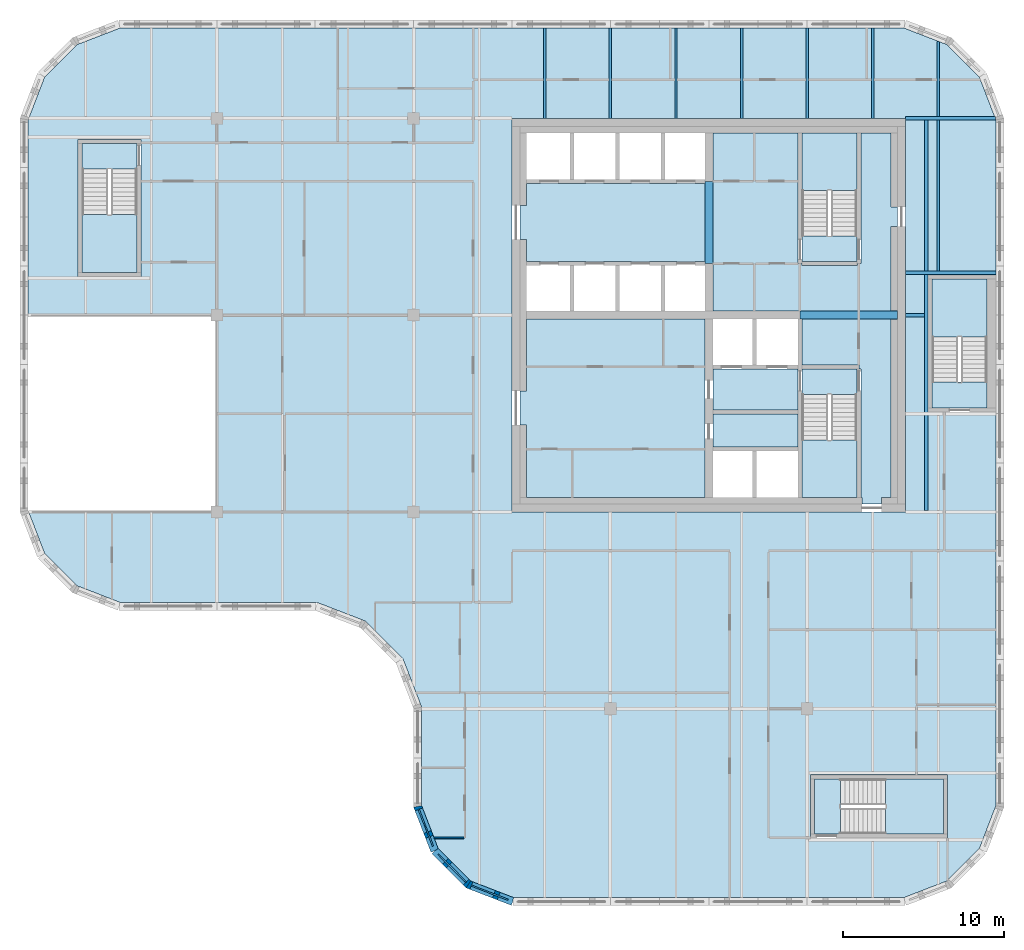
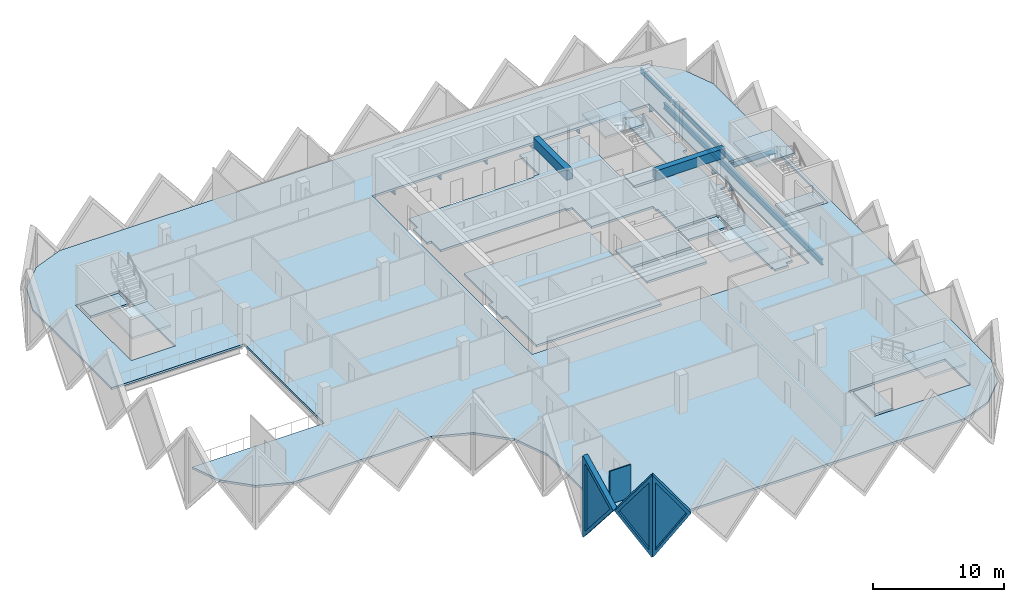
# One storey, part 2 of 12: 15 slabs, 14 beams, 4 walls, 3 plates, 3 openings, 5 elements without a shape of their own.
"""IFC4 building model written with IfcOpenShell, lengths in metres."""

from ifc_helpers import new_model, si_unit, direction, frame, frame_2d, origin, origin_2d, place, context, subcontext, project, spatial, polyline, rectangle, i_section, outline, extrude, faceted_brep, source, transform, mapped, material, layer, layer_set, material_profile, profile_set, type_object, element, fill, aggregate, save


model = new_model("IFC4")

# Units and contexts
model_context = context("Model", 3, precision=1e-05, world=origin(), true_north=direction((0.0, 1.0)))
body_context = subcontext(model_context, "Body", "Model", "MODEL_VIEW")
ifc_project = project(units=[si_unit("LENGTHUNIT", "METRE"), si_unit("AREAUNIT", "SQUARE_METRE"), si_unit("VOLUMEUNIT", "CUBIC_METRE"), si_unit("PLANEANGLEUNIT", "RADIAN"), si_unit("MASSUNIT", "GRAM", prefix="KILO")], contexts=[model_context])

# Site, building, storey
site_placement = place(None, origin())
site = spatial("IfcSite", under=ifc_project, at=site_placement, CompositionType="ELEMENT")
building_placement = place(site_placement, origin())
building = spatial("IfcBuilding", under=site, at=building_placement, Name="Tessera Gate Towers", CompositionType="ELEMENT")
storey_placement = place(building_placement, frame((0.0, 0.0, 209.300048828125)))
storey = spatial("IfcBuildingStorey", under=building, at=storey_placement, Name="L52", CompositionType="ELEMENT", Elevation=209.300048828125)

# Beams
ifc_material_1 = material(Name="Concrete C50/60", Category="concrete")
ifc_material_profile_1 = material_profile(ifc_material_1, rectangle(XDim=0.5, YDim=0.89990234375, at=origin_2d()), Name="RC 500x900")
ifc_profile_set_1 = profile_set([ifc_material_profile_1], Name="Concrete C50/60")
beam_type_1 = type_object("IfcBeamType", Name="COUPLING BEAM 500x900 C50/60", PredefinedType="BEAM", material=ifc_profile_set_1)
beam_1_placement = place(storey_placement, frame((48.35009765625, 36.60009765625, 3.14990234375), z_axis=(1.0, 0.0, 0.0), x_axis=(0.0, 1.0, 0.0)))
element("IfcBeam", 1, at=beam_1_placement, inside=storey, type_object=beam_type_1, Name="L52 coupling beam 1", PredefinedType="BEAM", context=body_context, shape_type="SweptSolid", body=[
    extrude(rectangle(XDim=0.5, YDim=0.89990234375, at=origin_2d()), origin(), (0.0, 0.0, 1.0), 6.0498046875),
])
beam_2_placement = place(storey_placement, frame((42.699951171875, 39.800048828125, 3.14990234375), z_axis=(0.0, 1.0, 0.0), x_axis=(-1.0, 0.0, 0.0)))
element("IfcBeam", 2, at=beam_2_placement, inside=storey, type_object=beam_type_1, Name="L52 coupling beam 2", PredefinedType="BEAM", context=body_context, shape_type="SweptSolid", body=[
    extrude(rectangle(XDim=0.5, YDim=0.89990234375, at=origin_2d()), origin(), (0.0, 0.0, 1.0), 5.099853515625),
])
ifc_material_2 = material(Name="Steel 350W", Category="steel")
ifc_material_profile_2 = material_profile(ifc_material_2, i_section(OverallWidth=0.208984375, OverallDepth=0.532958984375, WebThickness=0.01025390625, FlangeThickness=0.015625, at=origin_2d()), Name="W530x92")
ifc_profile_set_2 = profile_set([ifc_material_profile_2], Name="Steel 350W")
beam_type_2 = type_object("IfcBeamType", Name="FLOOR GIRDER W530x92", PredefinedType="BEAM", material=ifc_profile_set_2)
beam_3_placement = place(storey_placement, frame((54.89892578125, 36.60009765625, -0.466552734375), z_axis=(1.0, 0.0, 0.0), x_axis=(0.0, 1.0, 0.0)))
element("IfcBeam", 3, at=beam_3_placement, inside=storey, type_object=beam_type_2, Name="T1-GD-L52-5414", PredefinedType="BEAM", context=body_context, shape_type="SweptSolid", body=[
    extrude(i_section(OverallWidth=0.208984375, OverallDepth=0.532958984375, WebThickness=0.01025390625, FlangeThickness=0.015625, at=origin_2d()), origin(), (0.0, 0.0, 1.0), 1.176513671875),
])
beam_4_placement = place(storey_placement, frame((54.90087890625, 48.800048828125, -0.466552734375), z_axis=(1.0, 0.0, 0.0), x_axis=(0.0, 1.0, 0.0)))
element("IfcBeam", 4, at=beam_4_placement, inside=storey, type_object=beam_type_2, Name="T1-GD-L52-5418", PredefinedType="BEAM", context=body_context, shape_type="SweptSolid", body=[
    extrude(i_section(OverallWidth=0.208984375, OverallDepth=0.532958984375, WebThickness=0.01025390625, FlangeThickness=0.015625, at=origin_2d()), origin(), (0.0, 0.0, 1.0), 5.564208984375),
])
beam_5_placement = place(storey_placement, frame((54.89892578125, 39.219970703125, -0.466552734375), z_axis=(1.0, 0.0, 0.0), x_axis=(0.0, 1.0, 0.0)))
element("IfcBeam", 5, at=beam_5_placement, inside=storey, type_object=beam_type_2, Name="T1-GD-L52-5436", PredefinedType="BEAM", context=body_context, shape_type="SweptSolid", body=[
    extrude(i_section(OverallWidth=0.208984375, OverallDepth=0.532958984375, WebThickness=0.01025390625, FlangeThickness=0.015625, at=origin_2d()), origin(), (0.0, 0.0, 1.0), 5.60205078125),
])
beam_6_placement = place(storey_placement, frame((56.179931640625, 24.50439453125, -0.466552734375), z_axis=(0.0, 1.0, 0.0), x_axis=(-1.0, 0.0, 0.0)))
element("IfcBeam", 6, at=beam_6_placement, inside=storey, type_object=beam_type_2, Name="T1-GD-L52-5437", PredefinedType="BEAM", context=body_context, shape_type="SweptSolid", body=[
    extrude(i_section(OverallWidth=0.208984375, OverallDepth=0.532958984375, WebThickness=0.01025390625, FlangeThickness=0.015625, at=origin_2d()), origin(), (0.0, 0.0, 1.0), 24.191162109375),
])
ifc_material_3 = material(Name="Steel 350W", Category="steel")
ifc_material_profile_3 = material_profile(ifc_material_3, i_section(OverallWidth=0.153076171875, OverallDepth=0.455078125, WebThickness=0.008056640625, FlangeThickness=0.01318359375, at=origin_2d()), Name="W460x60")
ifc_profile_set_3 = profile_set([ifc_material_profile_3], Name="Steel 350W")
beam_type_3 = type_object("IfcBeamType", Name="FLOOR SECONDARY W460x60", PredefinedType="BEAM", material=ifc_profile_set_3)
for number, where, z_axis, x_axis, name in (
    (7, (32.533203125, 48.800048828125, -0.427490234375), (0.0, 1.0, 0.0), (-1.0, 0.0, 0.0), "T1-BM-L52-5459"),
    (8, (36.60009765625, 48.800048828125, -0.427490234375), (0.0, 1.0, 0.0), (-1.0, 0.0, 0.0), "T1-BM-L52-5460"),
    (9, (40.666748046875, 48.800048828125, -0.427490234375), (0.0, 1.0, 0.0), (-1.0, 0.0, 0.0), "T1-BM-L52-5463"),
    (10, (44.7333984375, 48.800048828125, -0.427490234375), (0.0, 1.0, 0.0), (-1.0, 0.0, 0.0), "T1-BM-L52-5466"),
    (11, (48.800048828125, 48.800048828125, -0.427490234375), (0.0, 1.0, 0.0), (-1.0, 0.0, 0.0), "T1-BM-L52-5467"),
    (12, (52.86669921875, 48.800048828125, -0.427490234375), (0.0, 1.0, 0.0), (-1.0, 0.0, 0.0), "T1-BM-L52-5471"),
):
    element("IfcBeam", number, at=place(storey_placement, frame(where, z_axis=z_axis, x_axis=x_axis)), inside=storey, type_object=beam_type_3, Name=name, PredefinedType="BEAM", context=body_context, shape_type="SweptSolid", body=[
        extrude(i_section(OverallWidth=0.153076171875, OverallDepth=0.455078125, WebThickness=0.008056640625, FlangeThickness=0.01318359375, at=origin_2d()), origin(), (0.0, 0.0, 1.0), 5.599853515625),
    ])
beam_7_placement = place(storey_placement, frame((56.933349609375, 39.324462890625, -0.427490234375), z_axis=(0.0, 1.0, 0.0), x_axis=(-1.0, 0.0, 0.0)))
element("IfcBeam", 13, at=beam_7_placement, inside=storey, type_object=beam_type_3, Name="T1-BM-L52-5476", PredefinedType="BEAM", context=body_context, shape_type="SweptSolid", body=[
    extrude(i_section(OverallWidth=0.153076171875, OverallDepth=0.455078125, WebThickness=0.008056640625, FlangeThickness=0.01318359375, at=origin_2d()), origin(), (0.0, 0.0, 1.0), 9.37109375),
])
beam_8_placement = place(storey_placement, frame((56.933349609375, 48.904541015625, -0.427490234375), z_axis=(0.0, 1.0, 0.0), x_axis=(-1.0, 0.0, 0.0)))
element("IfcBeam", 14, at=beam_8_placement, inside=storey, type_object=beam_type_3, Name="T1-BM-L52-5477", PredefinedType="BEAM", context=body_context, shape_type="SweptSolid", body=[
    extrude(i_section(OverallWidth=0.153076171875, OverallDepth=0.455078125, WebThickness=0.008056640625, FlangeThickness=0.01318359375, at=origin_2d()), origin(), (0.0, 0.0, 1.0), 4.675048828125),
])

# Slabs
ifc_material_4 = material(Name="Concrete C35/45", Category="concrete")
ifc_layer_1 = layer(ifc_material_4, 0.199951171875)
ifc_layer_set_1 = layer_set([ifc_layer_1], Name="COMPOSITE FLOOR 200")
slab_type_1 = type_object("IfcSlabType", Name="COMPOSITE FLOOR 200", PredefinedType="FLOOR", material=ifc_layer_set_1)
slab_1_placement = place(storey_placement, frame((0.0, 0.0, -0.199951171875)))
element("IfcSlab", 15, at=slab_1_placement, inside=storey, type_object=slab_type_1, Name="T1-L52", PredefinedType="FLOOR", context=body_context, shape_type="SweptSolid", body=[
    extrude(outline(polyline([(0.5, 36.60009765625), (12.199951171875, 36.60009765625), (12.199951171875, 24.39990234375), (0.535888671875, 24.39990234375), (1.526123046875, 21.8330078125), (3.533203125, 19.826171875), (6.193115234375, 18.800048828125), (18.39306640625, 18.800048828125), (21.42431640625, 17.630615234375), (23.730712890625, 15.32421875), (24.89990234375, 12.293212890625), (24.89990234375, 6.193115234375), (25.926025390625, 3.533203125), (27.93310546875, 1.526123046875), (30.593017578125, 0.5), (54.806884765625, 0.5), (57.466796875, 1.526123046875), (59.473876953125, 3.533203125), (60.5, 6.193115234375), (60.5, 48.706787109375), (59.473876953125, 51.366943359375), (57.466796875, 53.373779296875), (54.806884765625, 54.39990234375), (6.193115234375, 54.39990234375), (3.533203125, 53.373779296875), (1.526123046875, 51.366943359375), (0.5, 48.706787109375), (0.5, 36.60009765625)]), holes=[polyline([(3.60009765625, 39.0), (3.60009765625, 47.5), (7.5, 47.5), (7.5, 39.0), (3.60009765625, 39.0)]), polyline([(30.5, 24.39990234375), (30.5, 48.800048828125), (54.89990234375, 48.800048828125), (54.89990234375, 24.39990234375), (30.5, 24.39990234375)]), polyline([(49.0, 4.199951171875), (49.0, 8.10009765625), (57.5, 8.10009765625), (57.5, 4.199951171875), (49.0, 4.199951171875)]), polyline([(56.300048828125, 30.60009765625), (56.300048828125, 39.10009765625), (60.199951171875, 39.10009765625), (60.199951171875, 30.60009765625), (56.300048828125, 30.60009765625)])]), origin(), (0.0, 0.0, 1.0), 0.199951171875),
])
ifc_material_5 = material(Name="Concrete C35/45", Category="concrete")
ifc_layer_2 = layer(ifc_material_5, 0.199951171875)
ifc_layer_set_2 = layer_set([ifc_layer_2], Name="CORE FLOOR SLAB 200")
slab_type_2 = type_object("IfcSlabType", Name="CORE FLOOR SLAB 200", PredefinedType="FLOOR", material=ifc_layer_set_2)
slab_2_placement = place(storey_placement, frame((0.0, 0.0, -0.199951171875)))
element("IfcSlab", 16, at=slab_2_placement, inside=storey, type_object=slab_type_2, Name="L52 core floor slab", PredefinedType="FLOOR", context=body_context, shape_type="SweptSolid", body=[
    extrude(outline(polyline([(42.449951171875, 44.89990234375), (42.449951171875, 44.77490234375), (31.39990234375, 44.77490234375), (31.39990234375, 43.39990234375), (31.0, 43.39990234375), (31.0, 41.300048828125), (31.39990234375, 41.300048828125), (31.39990234375, 39.925048828125), (42.449951171875, 39.925048828125), (42.449951171875, 39.800048828125), (42.949951171875, 39.800048828125), (42.949951171875, 36.85009765625), (48.35009765625, 36.85009765625), (48.35009765625, 36.35009765625), (48.47509765625, 36.35009765625), (48.47509765625, 33.52490234375), (52.0, 33.52490234375), (52.0, 33.27490234375), (52.125, 33.27490234375), (52.125, 25.300048828125), (52.199951171875, 25.300048828125), (52.199951171875, 24.89990234375), (53.39990234375, 24.89990234375), (53.39990234375, 25.300048828125), (54.0, 25.300048828125), (54.0, 36.320068359375), (54.39990234375, 36.320068359375), (54.39990234375, 36.8798828125), (54.0, 36.8798828125), (54.0, 42.10009765625), (54.39990234375, 42.10009765625), (54.39990234375, 43.300048828125), (54.0, 43.300048828125), (54.0, 47.89990234375), (52.125, 47.89990234375), (52.125, 39.800048828125), (51.875, 39.800048828125), (51.875, 39.675048828125), (48.47509765625, 39.675048828125), (48.47509765625, 39.800048828125), (48.22509765625, 39.800048828125), (48.22509765625, 47.89990234375), (42.949951171875, 47.89990234375), (42.949951171875, 44.89990234375), (42.449951171875, 44.89990234375)])), origin(), (0.0, 0.0, 1.0), 0.199951171875),
])
slab_3_placement = place(storey_placement, frame((0.0, 0.0, -0.199951171875)))
element("IfcSlab", 17, at=slab_3_placement, inside=storey, type_object=slab_type_2, Name="L52 core floor slab", PredefinedType="FLOOR", context=body_context, shape_type="SweptSolid", body=[
    extrude(outline(polyline([(31.39990234375, 36.35009765625), (31.39990234375, 31.89990234375), (31.0, 31.89990234375), (31.0, 29.800048828125), (31.39990234375, 29.800048828125), (31.39990234375, 25.300048828125), (42.449951171875, 25.300048828125), (42.449951171875, 36.35009765625), (31.39990234375, 36.35009765625)])), origin(), (0.0, 0.0, 1.0), 0.199951171875),
])
slab_4_placement = place(storey_placement, frame((0.0, 0.0, -0.199951171875)))
element("IfcSlab", 18, at=slab_4_placement, inside=storey, type_object=slab_type_2, Name="L52 core floor slab", PredefinedType="FLOOR", context=body_context, shape_type="SweptSolid", body=[
    extrude(outline(polyline([(42.949951171875, 33.27490234375), (42.949951171875, 30.72509765625), (48.22509765625, 30.72509765625), (48.22509765625, 33.27490234375), (42.949951171875, 33.27490234375)])), origin(), (0.0, 0.0, 1.0), 0.199951171875),
])
slab_5_placement = place(storey_placement, frame((0.0, 0.0, -0.199951171875)))
element("IfcSlab", 19, at=slab_5_placement, inside=storey, type_object=slab_type_2, Name="L52 core floor slab", PredefinedType="FLOOR", context=body_context, shape_type="SweptSolid", body=[
    extrude(outline(polyline([(48.22509765625, 30.47509765625), (42.949951171875, 30.47509765625), (42.949951171875, 28.425048828125), (48.22509765625, 28.425048828125), (48.22509765625, 30.47509765625)])), origin(), (0.0, 0.0, 1.0), 0.199951171875),
])
slab_6_placement = place(storey_placement, frame((0.0, 0.0, -0.199951171875)))
element("IfcSlab", 20, at=slab_6_placement, inside=storey, type_object=slab_type_2, Name="L52 core floor slab", PredefinedType="FLOOR", context=body_context, shape_type="SweptSolid", body=[
    extrude(outline(polyline([(51.875, 31.675048828125), (51.875, 33.27490234375), (48.47509765625, 33.27490234375), (48.47509765625, 31.675048828125), (51.875, 31.675048828125)])), origin(), (0.0, 0.0, 1.0), 0.199951171875),
])
slab_7_placement = place(storey_placement, frame((0.0, 0.0, -0.199951171875)))
element("IfcSlab", 21, at=slab_7_placement, inside=storey, type_object=slab_type_2, Name="L52 core floor slab", PredefinedType="FLOOR", context=body_context, shape_type="SweptSolid", body=[
    extrude(outline(polyline([(48.47509765625, 41.52490234375), (48.47509765625, 39.925048828125), (51.875, 39.925048828125), (51.875, 41.52490234375), (48.47509765625, 41.52490234375)])), origin(), (0.0, 0.0, 1.0), 0.199951171875),
])
slab_8_placement = place(storey_placement, frame((0.0, 0.0, -0.199951171875)))
element("IfcSlab", 22, at=slab_8_placement, inside=storey, type_object=slab_type_2, Name="L52 ST3 floor landing", PredefinedType="FLOOR", context=body_context, shape_type="SweptSolid", body=[
    extrude(outline(polyline([(3.85009765625, 47.25), (3.85009765625, 45.64990234375), (7.25, 45.64990234375), (7.25, 47.25), (3.85009765625, 47.25)])), origin(), (0.0, 0.0, 1.0), 0.199951171875),
])
slab_9_placement = place(storey_placement, frame((0.0, 0.0, -0.199951171875)))
element("IfcSlab", 23, at=slab_9_placement, inside=storey, type_object=slab_type_2, Name="L52 ST4 floor landing", PredefinedType="FLOOR", context=body_context, shape_type="SweptSolid", body=[
    extrude(outline(polyline([(49.25, 4.449951171875), (50.85009765625, 4.449951171875), (50.85009765625, 7.85009765625), (49.25, 7.85009765625), (49.25, 4.449951171875)])), origin(), (0.0, 0.0, 1.0), 0.199951171875),
])
slab_10_placement = place(storey_placement, frame((0.0, 0.0, -0.199951171875)))
element("IfcSlab", 24, at=slab_10_placement, inside=storey, type_object=slab_type_2, Name="L52 ST5 floor landing", PredefinedType="FLOOR", context=body_context, shape_type="SweptSolid", body=[
    extrude(outline(polyline([(59.949951171875, 30.85009765625), (59.949951171875, 32.449951171875), (56.550048828125, 32.449951171875), (56.550048828125, 30.85009765625), (59.949951171875, 30.85009765625)])), origin(), (0.0, 0.0, 1.0), 0.199951171875),
])

# Stair, slab
ifc_material_6 = material(Name="Concrete C40/50", Category="concrete")
stair_type_1 = type_object("IfcStairType", Name="EXIT STAIR ST1 1600", PredefinedType="HALF_TURN_STAIR", material=ifc_material_6)
stair_1_placement = place(storey_placement, origin())
stair_1 = element("IfcStair", 25, at=stair_1_placement, inside=storey, type_object=stair_type_1, Name="L52 Protected Exit Stair ST1", PredefinedType="HALF_TURN_STAIR")
ifc_material_7 = material(Name="Concrete C40/50", Category="concrete")
ifc_layer_3 = layer(ifc_material_7, 0.199951171875)
ifc_layer_set_3 = layer_set([ifc_layer_3], Name="EXIT STAIR LANDING 200")
slab_type_3 = type_object("IfcSlabType", Name="EXIT STAIR LANDING 200", PredefinedType="LANDING", material=ifc_layer_set_3)
slab_11_placement = place(storey_placement, frame((0.0, 0.0, 1.699951171875)))
slab_11 = element("IfcSlab", 26, at=slab_11_placement, type_object=slab_type_3, Name="ST1 landing 1", PredefinedType="LANDING", context=body_context, shape_type="SweptSolid", body=[
    extrude(outline(polyline([(48.47509765625, 28.875), (48.47509765625, 25.300048828125), (51.875, 25.300048828125), (51.875, 28.875), (48.47509765625, 28.875)])), origin(), (0.0, 0.0, 1.0), 0.199951171875),
])
aggregate(stair_1, [slab_11])

ifc_material_8 = material(Name="Concrete C40/50", Category="concrete")
stair_type_2 = type_object("IfcStairType", Name="EXIT STAIR ST2 1600", PredefinedType="HALF_TURN_STAIR", material=ifc_material_8)
stair_2_placement = place(storey_placement, origin())
stair_2 = element("IfcStair", 27, at=stair_2_placement, inside=storey, type_object=stair_type_2, Name="L52 Protected Exit Stair ST2", PredefinedType="HALF_TURN_STAIR")
slab_12_placement = place(storey_placement, frame((0.0, 0.0, 1.699951171875)))
slab_12 = element("IfcSlab", 28, at=slab_12_placement, type_object=slab_type_3, Name="ST2 landing 1", PredefinedType="LANDING", context=body_context, shape_type="SweptSolid", body=[
    extrude(outline(polyline([(51.875, 44.324951171875), (51.875, 47.89990234375), (48.47509765625, 47.89990234375), (48.47509765625, 44.324951171875), (51.875, 44.324951171875)])), origin(), (0.0, 0.0, 1.0), 0.199951171875),
])
aggregate(stair_2, [slab_12])

ifc_material_9 = material(Name="Concrete C40/50", Category="concrete")
stair_type_3 = type_object("IfcStairType", Name="EXIT STAIR ST3 1600", PredefinedType="HALF_TURN_STAIR", material=ifc_material_9)
stair_3_placement = place(storey_placement, origin())
stair_3 = element("IfcStair", 29, at=stair_3_placement, inside=storey, type_object=stair_type_3, Name="L52 West Exit Stair ST3", PredefinedType="HALF_TURN_STAIR")
slab_13_placement = place(storey_placement, frame((0.0, 0.0, 1.699951171875)))
slab_13 = element("IfcSlab", 30, at=slab_13_placement, type_object=slab_type_3, Name="ST3 landing 1", PredefinedType="LANDING", context=body_context, shape_type="SweptSolid", body=[
    extrude(outline(polyline([(3.85009765625, 42.85009765625), (3.85009765625, 39.25), (7.25, 39.25), (7.25, 42.85009765625), (3.85009765625, 42.85009765625)])), origin(), (0.0, 0.0, 1.0), 0.199951171875),
])
aggregate(stair_3, [slab_13])

ifc_material_10 = material(Name="Concrete C40/50", Category="concrete")
stair_type_4 = type_object("IfcStairType", Name="EXIT STAIR ST4 1600", PredefinedType="HALF_TURN_STAIR", material=ifc_material_10)
stair_4_placement = place(storey_placement, origin())
stair_4 = element("IfcStair", 31, at=stair_4_placement, inside=storey, type_object=stair_type_4, Name="L52 South Exit Stair ST4", PredefinedType="HALF_TURN_STAIR")
slab_14_placement = place(storey_placement, frame((0.0, 0.0, 1.699951171875)))
slab_14 = element("IfcSlab", 32, at=slab_14_placement, type_object=slab_type_3, Name="ST4 landing 1", PredefinedType="LANDING", context=body_context, shape_type="SweptSolid", body=[
    extrude(outline(polyline([(53.64990234375, 4.449951171875), (57.25, 4.449951171875), (57.25, 7.85009765625), (53.64990234375, 7.85009765625), (53.64990234375, 4.449951171875)])), origin(), (0.0, 0.0, 1.0), 0.199951171875),
])
aggregate(stair_4, [slab_14])

ifc_material_11 = material(Name="Concrete C40/50", Category="concrete")
stair_type_5 = type_object("IfcStairType", Name="EXIT STAIR ST5 1600", PredefinedType="HALF_TURN_STAIR", material=ifc_material_11)
stair_5_placement = place(storey_placement, origin())
stair_5 = element("IfcStair", 33, at=stair_5_placement, inside=storey, type_object=stair_type_5, Name="L52 East Exit Stair ST5", PredefinedType="HALF_TURN_STAIR")
slab_15_placement = place(storey_placement, frame((0.0, 0.0, 1.699951171875)))
slab_15 = element("IfcSlab", 34, at=slab_15_placement, type_object=slab_type_3, Name="ST5 landing 1", PredefinedType="LANDING", context=body_context, shape_type="SweptSolid", body=[
    extrude(outline(polyline([(59.949951171875, 35.25), (59.949951171875, 38.85009765625), (56.550048828125, 38.85009765625), (56.550048828125, 35.25), (59.949951171875, 35.25)])), origin(), (0.0, 0.0, 1.0), 0.199951171875),
])
aggregate(stair_5, [slab_15])

# Wall
ifc_material_12 = material(Name="Glass", Category="glass")
ifc_layer_4 = layer(ifc_material_12, 0.10009765625)
ifc_layer_set_4 = layer_set([ifc_layer_4], Name="GLAZED PARTITION 100")
wall_type_1 = type_object("IfcWallType", Name="GLAZED PARTITION 100", PredefinedType="PARTITIONING", material=ifc_layer_set_4)
wall_1_placement = place(storey_placement, frame((25.668701171875, 4.199951171875, 0.0), z_axis=(0.0, 0.0, 1.0), x_axis=(1.0, 0.0, 0.0)))
element("IfcWall", 35, at=wall_1_placement, inside=storey, type_object=wall_type_1, Name="T1-L52-PW-003", PredefinedType="PARTITIONING", context=body_context, shape_type="SweptSolid", body=[
    extrude(rectangle(XDim=1.855224609375, YDim=0.10009765625, at=frame_2d((0.927734375, 0.0))), origin(), (0.0, 0.0, 1.0), 3.06689453125),
])

# Wall, opening, plate
ifc_material_13 = material(Name="Precast concrete C60/75 white", Category="concrete")
ifc_layer_5 = layer(ifc_material_13, 0.5)
ifc_layer_set_5 = layer_set([ifc_layer_5], Name="TS3 corner tessera")
wall_type_2 = type_object("IfcWallType", Name="TS3 corner tessera", PredefinedType="SOLIDWALL", material=ifc_layer_set_5)
shared_shape_1 = source(origin(), body_context, "Body", "Brep", [
    faceted_brep([(0.046630859375, -0.25, 0.0), (2.9970703125, -0.25, 3.800048828125), (0.046630859375, -0.25, 7.60009765625), (0.0, -0.25, 7.541259765625), (0.0, -0.25, 0.058837890625), (0.09326171875, 0.25, 7.5400390625), (2.9443359375, 0.25, 3.8681640625), (2.9443359375, 0.25, 3.73193359375), (0.09326171875, 0.25, 0.06005859375), (2.9970703125, 0.00048828125, 3.800048828125), (0.046630859375, 0.0, 0.0), (0.046630859375, 0.0, 7.60009765625)], [[[0, 1, 2, 3, 4]], [[5, 6, 7, 8]], [[8, 7, 9, 1, 0, 10]], [[6, 5, 11, 2, 1, 9]], [[3, 2, 11]], [[10, 0, 4]], [[8, 10, 4, 3, 11, 5]], [[9, 7, 6]]]),
])
wall_2_placement = place(storey_placement, frame((24.63330078125, 6.18994140625, -3.800048828125), z_axis=(0.0, 0.0, 1.0), x_axis=(0.359901446078, -0.932990326376, 0.0)))
wall_2 = element("IfcWall", 36, at=wall_2_placement, inside=storey, type_object=wall_type_2, Name="Precast corner tessera T1 TS3-1222", PredefinedType="SOLIDWALL", context=body_context, shape_type="MappedRepresentation", body=[
    mapped(shared_shape_1, transform((0.0, 0.0, 0.0), scale=1.0)),
])
shared_shape_2 = source(origin(), body_context, "Body", "SweptSolid", [
    extrude(outline(polyline([(0.24658203125, 0.665283203125), (2.6806640625, 3.800048828125), (0.24658203125, 6.934814453125), (0.24658203125, 0.665283203125)])), frame((0.0, 0.260009765625, 0.0), z_axis=(0.0, -1.0, 0.0), x_axis=(1.0, 0.0, 0.0)), (0.0, 0.0, 1.0), 0.52001953125),
])
opening_1_placement = place(wall_2_placement, origin())
opening_1 = element("IfcOpeningElement", 37, at=opening_1_placement, cuts=wall_2, Name="Opening T1-PL2-1877", PredefinedType="OPENING", context=body_context, shape_type="MappedRepresentation", body=[
    mapped(shared_shape_2, transform((0.0, 0.0, 0.0), scale=1.0)),
])
ifc_material_14 = material(Name="Low-e laminated glass", Category="glass")
ifc_layer_6 = layer(ifc_material_14, 0.06005859375)
ifc_layer_set_6 = layer_set([ifc_layer_6], Name="PL2 rhombic pane")
plate_type = type_object("IfcPlateType", Name="PL2 rhombic pane", PredefinedType="SHEET", material=ifc_layer_set_6)
shared_shape_3 = source(origin(), body_context, "Body", "SweptSolid", [
    extrude(outline(polyline([(0.24658203125, 0.665283203125), (2.6806640625, 3.800048828125), (0.24658203125, 6.934814453125), (0.24658203125, 0.665283203125)])), frame((0.0, 0.030029296875, 0.0), z_axis=(0.0, -1.0, 0.0), x_axis=(1.0, 0.0, 0.0)), (0.0, 0.0, 1.0), 0.06005859375),
])
plate_1_placement = place(opening_1_placement, origin())
plate_1 = element("IfcPlate", 38, at=plate_1_placement, inside=storey, type_object=plate_type, Name="Glass pane T1 PL2-1877", PredefinedType="SHEET", context=body_context, shape_type="MappedRepresentation", body=[
    mapped(shared_shape_3, transform((0.0, 0.0, 0.0), scale=1.0)),
])
fill(opening_1, plate_1)

shared_shape_4 = source(origin(), body_context, "Body", "Brep", [
    faceted_brep([(0.052978515625, -0.25, 0.0), (3.00341796875, -0.25, 3.800048828125), (0.052978515625, -0.25, 7.60009765625), (0.0, -0.25, 7.53173828125), (0.0, -0.25, 0.068359375), (0.10595703125, 0.25, 7.531982421875), (2.95703125, 0.25, 3.85986328125), (2.95703125, 0.25, 3.740234375), (0.10595703125, 0.25, 0.068115234375), (3.00341796875, 0.00048828125, 3.800048828125), (0.052978515625, 0.0, 0.0), (0.052978515625, 0.0, 7.60009765625)], [[[0, 1, 2, 3, 4]], [[5, 6, 7, 8]], [[8, 7, 9, 1, 0, 10]], [[6, 5, 11, 2, 1, 9]], [[3, 2, 11]], [[10, 0, 4]], [[8, 10, 4, 3, 11, 5]], [[9, 7, 6]]]),
])
wall_3_placement = place(storey_placement, frame((27.744384765625, 1.3310546875, -3.800048828125), z_axis=(0.0, 0.0, 1.0), x_axis=(0.932970071518, -0.359953949349, 0.0)))
wall_3 = element("IfcWall", 39, at=wall_3_placement, inside=storey, type_object=wall_type_2, Name="Precast corner tessera T1 TS3-1224", PredefinedType="SOLIDWALL", context=body_context, shape_type="MappedRepresentation", body=[
    mapped(shared_shape_4, transform((0.0, 0.0, 0.0), scale=1.0)),
])
shared_shape_5 = source(origin(), body_context, "Body", "SweptSolid", [
    extrude(outline(polyline([(0.2529296875, 0.665283203125), (2.68701171875, 3.800048828125), (0.2529296875, 6.934814453125), (0.2529296875, 0.665283203125)])), frame((0.0, 0.260009765625, 0.0), z_axis=(0.0, -1.0, 0.0), x_axis=(1.0, 0.0, 0.0)), (0.0, 0.0, 1.0), 0.52001953125),
])
opening_2_placement = place(wall_3_placement, origin())
opening_2 = element("IfcOpeningElement", 40, at=opening_2_placement, cuts=wall_3, Name="Opening T1-PL2-1879", PredefinedType="OPENING", context=body_context, shape_type="MappedRepresentation", body=[
    mapped(shared_shape_5, transform((0.0, 0.0, 0.0), scale=1.0)),
])
shared_shape_6 = source(origin(), body_context, "Body", "SweptSolid", [
    extrude(outline(polyline([(0.2529296875, 0.665283203125), (2.68701171875, 3.800048828125), (0.2529296875, 6.934814453125), (0.2529296875, 0.665283203125)])), frame((0.0, 0.030029296875, 0.0), z_axis=(0.0, -1.0, 0.0), x_axis=(1.0, 0.0, 0.0)), (0.0, 0.0, 1.0), 0.06005859375),
])
plate_2_placement = place(opening_2_placement, origin())
plate_2 = element("IfcPlate", 41, at=plate_2_placement, inside=storey, type_object=plate_type, Name="Glass pane T1 PL2-1879", PredefinedType="SHEET", context=body_context, shape_type="MappedRepresentation", body=[
    mapped(shared_shape_6, transform((0.0, 0.0, 0.0), scale=1.0)),
])
fill(opening_2, plate_2)

shared_shape_7 = source(origin(), body_context, "Body", "Brep", [
    faceted_brep([(2.944091796875, -0.25, 0.0), (2.9970703125, -0.25, 0.068115234375), (2.9970703125, -0.25, 7.531982421875), (2.944091796875, -0.25, 7.60009765625), (0.0, -0.25, 3.800048828125), (0.052978515625, 0.25, 3.868408203125), (2.89111328125, 0.25, 7.531982421875), (2.89111328125, 0.25, 0.068115234375), (0.052978515625, 0.25, 3.731689453125), (2.944091796875, 0.000244140625, 0.0), (2.944091796875, 0.000244140625, 7.60009765625), (0.0, 0.0, 3.800048828125)], [[[0, 1, 2, 3, 4]], [[5, 6, 7, 8]], [[1, 0, 9]], [[10, 3, 2]], [[6, 5, 11, 4, 3, 10]], [[8, 7, 9, 0, 4, 11]], [[8, 11, 5]], [[1, 9, 7, 6, 10, 2]]]),
])
wall_4_placement = place(storey_placement, frame((25.7119140625, 3.393798828125, -3.800048828125), z_axis=(0.0, 0.0, 1.0), x_axis=(0.707066050402, -0.707147509625, 0.0)))
wall_4 = element("IfcWall", 42, at=wall_4_placement, inside=storey, type_object=wall_type_2, Name="Precast corner tessera T1 TS3-1223", PredefinedType="SOLIDWALL", context=body_context, shape_type="MappedRepresentation", body=[
    mapped(shared_shape_7, transform((0.0, 0.0, 0.0), scale=1.0)),
])
shared_shape_8 = source(origin(), body_context, "Body", "SweptSolid", [
    extrude(outline(polyline([(2.744140625, 6.93359375), (0.316162109375, 3.800048828125), (2.744140625, 0.666259765625), (2.744140625, 6.93359375)])), frame((0.0, 0.260009765625, 0.0), z_axis=(0.0, -1.0, 0.0), x_axis=(1.0, 0.0, 0.0)), (0.0, 0.0, 1.0), 0.52001953125),
])
opening_3_placement = place(wall_4_placement, origin())
opening_3 = element("IfcOpeningElement", 43, at=opening_3_placement, cuts=wall_4, Name="Opening T1-PL2-1878", PredefinedType="OPENING", context=body_context, shape_type="MappedRepresentation", body=[
    mapped(shared_shape_8, transform((0.0, 0.0, 0.0), scale=1.0)),
])
shared_shape_9 = source(origin(), body_context, "Body", "SweptSolid", [
    extrude(outline(polyline([(2.744140625, 6.93359375), (0.316162109375, 3.800048828125), (2.744140625, 0.666259765625), (2.744140625, 6.93359375)])), frame((0.0, 0.030029296875, 0.0), z_axis=(0.0, -1.0, 0.0), x_axis=(1.0, 0.0, 0.0)), (0.0, 0.0, 1.0), 0.06005859375),
])
plate_3_placement = place(opening_3_placement, origin())
plate_3 = element("IfcPlate", 44, at=plate_3_placement, inside=storey, type_object=plate_type, Name="Glass pane T1 PL2-1878", PredefinedType="SHEET", context=body_context, shape_type="MappedRepresentation", body=[
    mapped(shared_shape_9, transform((0.0, 0.0, 0.0), scale=1.0)),
])
fill(opening_3, plate_3)

save(model, "model.ifc")
